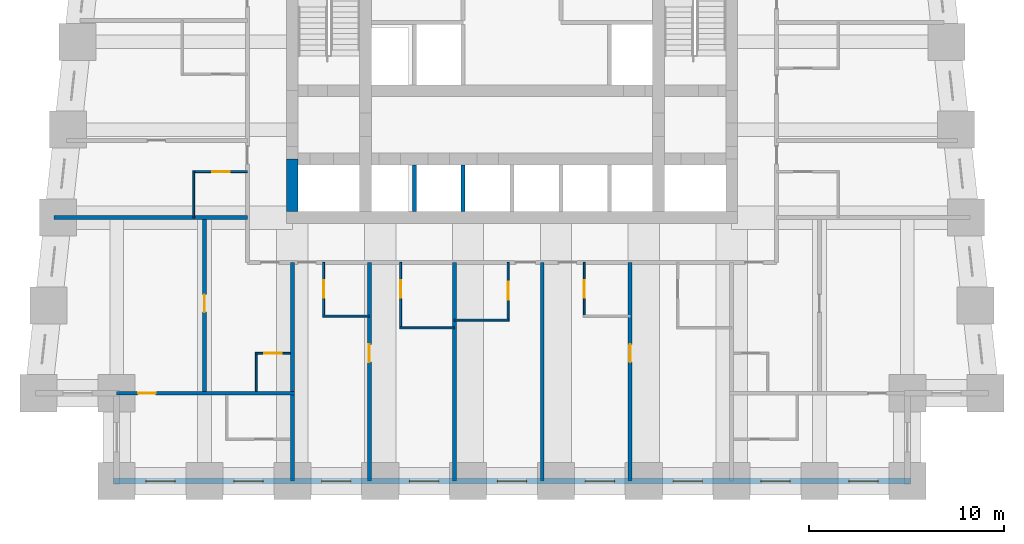
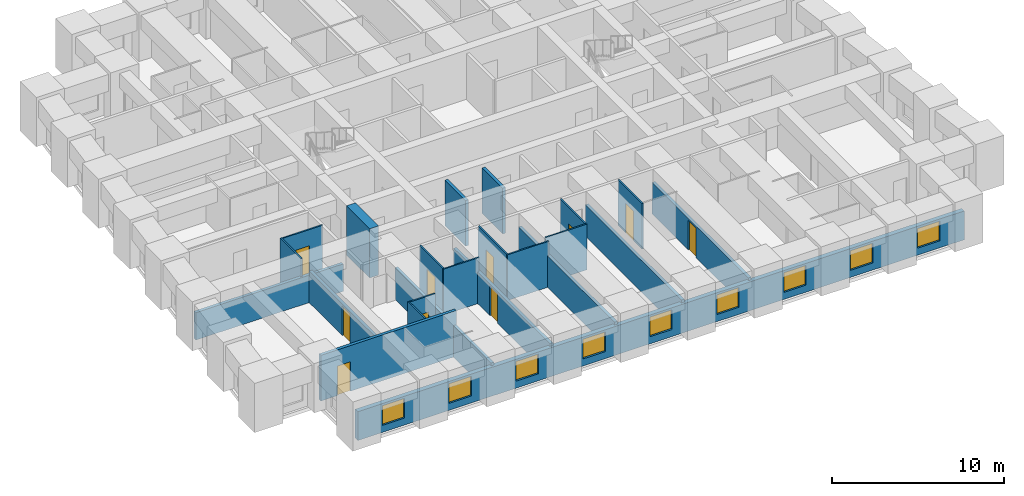
# One storey, part 2 of 8: 23 walls, 10 doors, 9 windows, 19 openings.
"""IFC4 building model written with IfcOpenShell, lengths in metres."""

from ifc_helpers import new_model, si_unit, direction, frame, frame_2d, origin, place, context, subcontext, project, spatial, rectangle, extrude, material, layer, layer_set, type_object, element, fill, save


model = new_model("IFC4")

# Units and contexts
model_context = context("Model", 3, precision=1e-05, world=origin(), true_north=direction((0.0, 1.0)))
body_context = subcontext(model_context, "Body", "Model", "MODEL_VIEW")
ifc_project = project(units=[si_unit("LENGTHUNIT", "METRE"), si_unit("AREAUNIT", "SQUARE_METRE"), si_unit("VOLUMEUNIT", "CUBIC_METRE"), si_unit("PLANEANGLEUNIT", "RADIAN"), si_unit("MASSUNIT", "GRAM", prefix="KILO")], contexts=[model_context])

# Site, building, storey
site_placement = place(None, origin())
site = spatial("IfcSite", under=ifc_project, at=site_placement, CompositionType="ELEMENT")
building_placement = place(site_placement, origin())
building = spatial("IfcBuilding", under=site, at=building_placement, Name="Kilele Tower Hotel", CompositionType="ELEMENT")
storey_placement = place(building_placement, frame((0.0, 0.0, 54.199951171875)))
storey = spatial("IfcBuildingStorey", under=building, at=storey_placement, Name="L12", CompositionType="ELEMENT", Elevation=54.199951171875)

# Wall
ifc_material_1 = material(Name="Moisture-resistant board")
ifc_layer_1 = layer(ifc_material_1, 0.10009765625)
ifc_layer_set_1 = layer_set([ifc_layer_1], Name="Moisture-resistant board")
wall_type_1 = type_object("IfcWallType", Name="Bathroom partition 100", PredefinedType="PLUMBINGWALL", material=ifc_layer_set_1)
wall_1_placement = place(storey_placement, frame((15.050048828125, 8.449951171875, 0.0), z_axis=(0.0, 0.0, 1.0), x_axis=(1.0, 0.0, 0.0)))
element("IfcWall", 1, at=wall_1_placement, inside=storey, type_object=wall_type_1, Name="Bathroom partition 100 L12", PredefinedType="PLUMBINGWALL", context=body_context, shape_type="SweptSolid", body=[
    extrude(rectangle(XDim=2.39990234375, YDim=0.10009765625, at=frame_2d((1.199951171875, 0.0))), origin(), (0.0, 0.0, 1.0), 3.25),
])

# Wall, opening, door
wall_2_placement = place(storey_placement, frame((15.10009765625, 11.199951171875, 0.0), z_axis=(0.0, 0.0, 1.0), x_axis=(0.0, -1.0, 0.0)))
wall_2 = element("IfcWall", 2, at=wall_2_placement, inside=storey, type_object=wall_type_1, Name="Bathroom partition 100 L12", PredefinedType="PLUMBINGWALL", context=body_context, shape_type="SweptSolid", body=[
    extrude(rectangle(XDim=2.800048828125, YDim=0.10009765625, at=frame_2d((1.39990234375, 0.0))), origin(), (0.0, 0.0, 1.0), 3.25),
])
opening_1_placement = place(wall_2_placement, frame((1.7998046875, 0.0, 0.0), z_axis=(0.0, 0.0, 1.0), x_axis=(-1.0, 0.0, 0.0)))
opening_1 = element("IfcOpeningElement", 3, at=opening_1_placement, cuts=wall_2, Name="Opening D2A", PredefinedType="OPENING", context=body_context, shape_type="SweptSolid", body=[
    extrude(rectangle(XDim=0.89990234375, YDim=2.10009765625, at=frame_2d((0.449951171875, 1.050048828125))), frame((0.0, 0.06005859375, 0.0), z_axis=(0.0, -1.0, 0.0), x_axis=(1.0, 0.0, 0.0)), (0.0, 0.0, 1.0), 0.1201171875),
])
ifc_material_2 = material(Name="Timber door leaf in hardwood frame", Category="wood")
door_type_1 = type_object("IfcDoorType", Name="Bathroom door 900", OperationType="SINGLE_SWING_LEFT", PredefinedType="DOOR", material=ifc_material_2)
door_1_placement = place(opening_1_placement, origin())
door_1 = element("IfcDoor", 4, at=door_1_placement, inside=storey, type_object=door_type_1, Name="Bathroom door 1201B", OperationType="SINGLE_SWING_RIGHT", OverallHeight=2.10009765625, OverallWidth=0.89990234375, PredefinedType="DOOR", context=body_context, shape_type="SweptSolid", body=[
    extrude(rectangle(XDim=0.89990234375, YDim=2.10009765625, at=frame_2d((0.449951171875, 1.050048828125))), frame((0.0, 0.02490234375, 0.0), z_axis=(0.0, -1.0, 0.0), x_axis=(1.0, 0.0, 0.0)), (0.0, 0.0, 1.0), 0.050048828125),
])
fill(opening_1, door_1)

# Wall
wall_3_placement = place(storey_placement, frame((19.0, 7.85009765625, 0.0), z_axis=(0.0, 0.0, 1.0), x_axis=(1.0, 0.0, 0.0)))
element("IfcWall", 5, at=wall_3_placement, inside=storey, type_object=wall_type_1, Name="Bathroom partition 100 L12", PredefinedType="PLUMBINGWALL", context=body_context, shape_type="SweptSolid", body=[
    extrude(rectangle(XDim=2.800048828125, YDim=0.10009765625, at=frame_2d((1.39990234375, 0.0))), origin(), (0.0, 0.0, 1.0), 3.25),
])

# Wall, opening, door
wall_4_placement = place(storey_placement, frame((19.050048828125, 11.199951171875, 0.0), z_axis=(0.0, 0.0, 1.0), x_axis=(0.0, -1.0, 0.0)))
wall_4 = element("IfcWall", 6, at=wall_4_placement, inside=storey, type_object=wall_type_1, Name="Bathroom partition 100 L12", PredefinedType="PLUMBINGWALL", context=body_context, shape_type="SweptSolid", body=[
    extrude(rectangle(XDim=3.39990234375, YDim=0.10009765625, at=frame_2d((1.699951171875, 0.0))), origin(), (0.0, 0.0, 1.0), 3.25),
])
opening_2_placement = place(wall_4_placement, frame((1.7998046875, 0.0, 0.0), z_axis=(0.0, 0.0, 1.0), x_axis=(-1.0, 0.0, 0.0)))
opening_2 = element("IfcOpeningElement", 7, at=opening_2_placement, cuts=wall_4, Name="Opening D2A", PredefinedType="OPENING", context=body_context, shape_type="SweptSolid", body=[
    extrude(rectangle(XDim=0.89990234375, YDim=2.10009765625, at=frame_2d((0.449951171875, 1.050048828125))), frame((0.0, 0.06005859375, 0.0), z_axis=(0.0, -1.0, 0.0), x_axis=(1.0, 0.0, 0.0)), (0.0, 0.0, 1.0), 0.1201171875),
])
door_2_placement = place(opening_2_placement, origin())
door_2 = element("IfcDoor", 8, at=door_2_placement, inside=storey, type_object=door_type_1, Name="Bathroom door 1202B", OperationType="SINGLE_SWING_RIGHT", OverallHeight=2.10009765625, OverallWidth=0.89990234375, PredefinedType="DOOR", context=body_context, shape_type="SweptSolid", body=[
    extrude(rectangle(XDim=0.89990234375, YDim=2.10009765625, at=frame_2d((0.449951171875, 1.050048828125))), frame((0.0, 0.02490234375, 0.0), z_axis=(0.0, -1.0, 0.0), x_axis=(1.0, 0.0, 0.0)), (0.0, 0.0, 1.0), 0.050048828125),
])
fill(opening_2, door_2)

# Wall
wall_5_placement = place(storey_placement, frame((21.800048828125, 8.25, 0.0), z_axis=(0.0, 0.0, 1.0), x_axis=(1.0, 0.0, 0.0)))
element("IfcWall", 9, at=wall_5_placement, inside=storey, type_object=wall_type_1, Name="Bathroom partition 100 L12", PredefinedType="PLUMBINGWALL", context=body_context, shape_type="SweptSolid", body=[
    extrude(rectangle(XDim=2.800048828125, YDim=0.10009765625, at=frame_2d((1.39990234375, 0.0))), origin(), (0.0, 0.0, 1.0), 3.25),
])

# Wall, opening, door
wall_6_placement = place(storey_placement, frame((24.550048828125, 11.199951171875, 0.0), z_axis=(0.0, 0.0, 1.0), x_axis=(0.0, -1.0, 0.0)))
wall_6 = element("IfcWall", 10, at=wall_6_placement, inside=storey, type_object=wall_type_1, Name="Bathroom partition 100 L12", PredefinedType="PLUMBINGWALL", context=body_context, shape_type="SweptSolid", body=[
    extrude(rectangle(XDim=3.0, YDim=0.10009765625, at=frame_2d((1.5, 0.0))), origin(), (0.0, 0.0, 1.0), 3.25),
])
opening_3_placement = place(wall_6_placement, frame((1.0, 0.0, 0.0)))
opening_3 = element("IfcOpeningElement", 11, at=opening_3_placement, cuts=wall_6, Name="Opening D2A", PredefinedType="OPENING", context=body_context, shape_type="SweptSolid", body=[
    extrude(rectangle(XDim=0.89990234375, YDim=2.10009765625, at=frame_2d((0.449951171875, 1.050048828125))), frame((0.0, 0.06005859375, 0.0), z_axis=(0.0, -1.0, 0.0), x_axis=(1.0, 0.0, 0.0)), (0.0, 0.0, 1.0), 0.1201171875),
])
door_3_placement = place(opening_3_placement, origin())
door_3 = element("IfcDoor", 12, at=door_3_placement, inside=storey, type_object=door_type_1, Name="Bathroom door 1203B", OperationType="SINGLE_SWING_LEFT", OverallHeight=2.10009765625, OverallWidth=0.89990234375, PredefinedType="DOOR", context=body_context, shape_type="SweptSolid", body=[
    extrude(rectangle(XDim=0.89990234375, YDim=2.10009765625, at=frame_2d((0.449951171875, 1.050048828125))), frame((0.0, 0.02490234375, 0.0), z_axis=(0.0, -1.0, 0.0), x_axis=(1.0, 0.0, 0.0)), (0.0, 0.0, 1.0), 0.050048828125),
])
fill(opening_3, door_3)

wall_7_placement = place(storey_placement, frame((28.449951171875, 11.199951171875, 0.0), z_axis=(0.0, 0.0, 1.0), x_axis=(0.0, -1.0, 0.0)))
wall_7 = element("IfcWall", 13, at=wall_7_placement, inside=storey, type_object=wall_type_1, Name="Bathroom partition 100 L12", PredefinedType="PLUMBINGWALL", context=body_context, shape_type="SweptSolid", body=[
    extrude(rectangle(XDim=2.800048828125, YDim=0.10009765625, at=frame_2d((1.39990234375, 0.0))), origin(), (0.0, 0.0, 1.0), 3.25),
])
opening_4_placement = place(wall_7_placement, frame((1.7998046875, 0.0, 0.0), z_axis=(0.0, 0.0, 1.0), x_axis=(-1.0, 0.0, 0.0)))
opening_4 = element("IfcOpeningElement", 14, at=opening_4_placement, cuts=wall_7, Name="Opening D2A", PredefinedType="OPENING", context=body_context, shape_type="SweptSolid", body=[
    extrude(rectangle(XDim=0.89990234375, YDim=2.10009765625, at=frame_2d((0.449951171875, 1.050048828125))), frame((0.0, 0.06005859375, 0.0), z_axis=(0.0, -1.0, 0.0), x_axis=(1.0, 0.0, 0.0)), (0.0, 0.0, 1.0), 0.1201171875),
])
door_4_placement = place(opening_4_placement, origin())
door_4 = element("IfcDoor", 15, at=door_4_placement, inside=storey, type_object=door_type_1, Name="Bathroom door 1204B", OperationType="SINGLE_SWING_RIGHT", OverallHeight=2.10009765625, OverallWidth=0.89990234375, PredefinedType="DOOR", context=body_context, shape_type="SweptSolid", body=[
    extrude(rectangle(XDim=0.89990234375, YDim=2.10009765625, at=frame_2d((0.449951171875, 1.050048828125))), frame((0.0, 0.02490234375, 0.0), z_axis=(0.0, -1.0, 0.0), x_axis=(1.0, 0.0, 0.0)), (0.0, 0.0, 1.0), 0.050048828125),
])
fill(opening_4, door_4)

# Wall
wall_8_placement = place(storey_placement, frame((8.449951171875, 13.5, 0.0), z_axis=(0.0, 0.0, 1.0), x_axis=(0.0, 1.0, 0.0)))
element("IfcWall", 16, at=wall_8_placement, inside=storey, type_object=wall_type_1, Name="Bathroom partition 100 L12", PredefinedType="PLUMBINGWALL", context=body_context, shape_type="SweptSolid", body=[
    extrude(rectangle(XDim=2.39990234375, YDim=0.10009765625, at=frame_2d((1.199951171875, 0.0))), origin(), (0.0, 0.0, 1.0), 3.25),
])

# Wall, opening, door
wall_9_placement = place(storey_placement, frame((11.199951171875, 15.85009765625, 0.0), z_axis=(0.0, 0.0, 1.0), x_axis=(-1.0, 0.0, 0.0)))
wall_9 = element("IfcWall", 17, at=wall_9_placement, inside=storey, type_object=wall_type_1, Name="Bathroom partition 100 L12", PredefinedType="PLUMBINGWALL", context=body_context, shape_type="SweptSolid", body=[
    extrude(rectangle(XDim=2.800048828125, YDim=0.10009765625, at=frame_2d((1.39990234375, 0.0))), origin(), (0.0, 0.0, 1.0), 3.25),
])
opening_5_placement = place(wall_9_placement, frame((1.7998046875, 0.0, 0.0), z_axis=(0.0, 0.0, 1.0), x_axis=(-1.0, 0.0, 0.0)))
opening_5 = element("IfcOpeningElement", 18, at=opening_5_placement, cuts=wall_9, Name="Opening D2A", PredefinedType="OPENING", context=body_context, shape_type="SweptSolid", body=[
    extrude(rectangle(XDim=0.89990234375, YDim=2.10009765625, at=frame_2d((0.449951171875, 1.050048828125))), frame((0.0, 0.06005859375, 0.0), z_axis=(0.0, -1.0, 0.0), x_axis=(1.0, 0.0, 0.0)), (0.0, 0.0, 1.0), 0.1201171875),
])
door_5_placement = place(opening_5_placement, origin())
door_5 = element("IfcDoor", 19, at=door_5_placement, inside=storey, type_object=door_type_1, Name="Bathroom door 1214B", OperationType="SINGLE_SWING_RIGHT", OverallHeight=2.10009765625, OverallWidth=0.89990234375, PredefinedType="DOOR", context=body_context, shape_type="SweptSolid", body=[
    extrude(rectangle(XDim=0.89990234375, YDim=2.10009765625, at=frame_2d((0.449951171875, 1.050048828125))), frame((0.0, 0.02490234375, 0.0), z_axis=(0.0, -1.0, 0.0), x_axis=(1.0, 0.0, 0.0)), (0.0, 0.0, 1.0), 0.050048828125),
])
fill(opening_5, door_5)

# Wall
wall_10_placement = place(storey_placement, frame((11.64990234375, 4.60009765625, 0.0), z_axis=(0.0, 0.0, 1.0), x_axis=(0.0, 1.0, 0.0)))
element("IfcWall", 20, at=wall_10_placement, inside=storey, type_object=wall_type_1, Name="Bathroom partition 100 L12", PredefinedType="PLUMBINGWALL", context=body_context, shape_type="SweptSolid", body=[
    extrude(rectangle(XDim=2.0, YDim=0.10009765625, at=frame_2d((1.0, 0.0))), origin(), (0.0, 0.0, 1.0), 3.25),
])

# Wall, opening, door
wall_11_placement = place(storey_placement, frame((13.39990234375, 6.550048828125, 0.0), z_axis=(0.0, 0.0, 1.0), x_axis=(-1.0, 0.0, 0.0)))
wall_11 = element("IfcWall", 21, at=wall_11_placement, inside=storey, type_object=wall_type_1, Name="Bathroom partition 100 L12", PredefinedType="PLUMBINGWALL", context=body_context, shape_type="SweptSolid", body=[
    extrude(rectangle(XDim=1.7998046875, YDim=0.10009765625, at=frame_2d((0.89990234375, 0.0))), origin(), (0.0, 0.0, 1.0), 3.25),
])
opening_6_placement = place(wall_11_placement, frame((1.349853515625, 0.0, 0.0), z_axis=(0.0, 0.0, 1.0), x_axis=(-1.0, 0.0, 0.0)))
opening_6 = element("IfcOpeningElement", 22, at=opening_6_placement, cuts=wall_11, Name="Opening D2A", PredefinedType="OPENING", context=body_context, shape_type="SweptSolid", body=[
    extrude(rectangle(XDim=0.89990234375, YDim=2.10009765625, at=frame_2d((0.449951171875, 1.050048828125))), frame((0.0, 0.06005859375, 0.0), z_axis=(0.0, -1.0, 0.0), x_axis=(1.0, 0.0, 0.0)), (0.0, 0.0, 1.0), 0.1201171875),
])
door_6_placement = place(opening_6_placement, origin())
door_6 = element("IfcDoor", 23, at=door_6_placement, inside=storey, type_object=door_type_1, Name="Bathroom door 1217P", OperationType="SINGLE_SWING_RIGHT", OverallHeight=2.10009765625, OverallWidth=0.89990234375, PredefinedType="DOOR", context=body_context, shape_type="SweptSolid", body=[
    extrude(rectangle(XDim=0.89990234375, YDim=2.10009765625, at=frame_2d((0.449951171875, 1.050048828125))), frame((0.0, 0.02490234375, 0.0), z_axis=(0.0, -1.0, 0.0), x_axis=(1.0, 0.0, 0.0)), (0.0, 0.0, 1.0), 0.050048828125),
])
fill(opening_6, door_6)

# Wall
ifc_material_3 = material(Name="Concrete C60/75", Category="concrete")
ifc_layer_2 = layer(ifc_material_3, 0.60009765625)
ifc_layer_set_2 = layer_set([ifc_layer_2], Name="Concrete C60/75")
wall_type_2 = type_object("IfcWallType", Name="Core wall 600 C60/75", PredefinedType="SHEAR", material=ifc_layer_set_2)
wall_12_placement = place(storey_placement, frame((13.5, 16.5, 0.0), z_axis=(0.0, 0.0, 1.0), x_axis=(0.0, -1.0, 0.0)))
element("IfcWall", 24, at=wall_12_placement, inside=storey, type_object=wall_type_2, Name="Core wall W3 L12", PredefinedType="SHEAR", context=body_context, shape_type="SweptSolid", body=[
    extrude(rectangle(XDim=2.699951171875, YDim=0.60009765625, at=frame_2d((1.35009765625, 0.0))), origin(), (0.0, 0.0, 1.0), 3.5),
])

# Wall, opening, door
ifc_material_4 = material(Name="Blockwork, plastered both sides", Category="masonry")
ifc_layer_3 = layer(ifc_material_4, 0.199951171875)
ifc_layer_set_3 = layer_set([ifc_layer_3], Name="Blockwork, plastered both sides")
wall_type_3 = type_object("IfcWallType", Name="Partition wall 200", PredefinedType="PARTITIONING", material=ifc_layer_set_3)
wall_13_placement = place(storey_placement, frame((9.0, 4.60009765625, 0.0), z_axis=(0.0, 0.0, 1.0), x_axis=(0.0, 1.0, 0.0)))
wall_13 = element("IfcWall", 25, at=wall_13_placement, inside=storey, type_object=wall_type_3, Name="Partition wall 200 L12", PredefinedType="PARTITIONING", context=body_context, shape_type="SweptSolid", body=[
    extrude(rectangle(XDim=8.7998046875, YDim=0.199951171875, at=frame_2d((4.39990234375, 0.0))), origin(), (0.0, 0.0, 1.0), 2.25),
])
opening_7_placement = place(wall_13_placement, frame((4.050048828125, 0.0, 0.0)))
opening_7 = element("IfcOpeningElement", 26, at=opening_7_placement, cuts=wall_13, Name="Opening D3", PredefinedType="OPENING", context=body_context, shape_type="SweptSolid", body=[
    extrude(rectangle(XDim=0.89990234375, YDim=2.10009765625, at=frame_2d((0.449951171875, 1.050048828125))), frame((0.0, 0.10986328125, 0.0), z_axis=(0.0, -1.0, 0.0), x_axis=(1.0, 0.0, 0.0)), (0.0, 0.0, 1.0), 0.219970703125),
])
ifc_material_5 = material(Name="Timber door leaf in hardwood frame", Category="wood")
door_type_2 = type_object("IfcDoorType", Name="Suite internal door 900", OperationType="SINGLE_SWING_LEFT", PredefinedType="DOOR", material=ifc_material_5)
door_7_placement = place(opening_7_placement, origin())
door_7 = element("IfcDoor", 27, at=door_7_placement, inside=storey, type_object=door_type_2, Name="Suite door 1218", OperationType="SINGLE_SWING_RIGHT", OverallHeight=2.10009765625, OverallWidth=0.89990234375, PredefinedType="DOOR", context=body_context, shape_type="SweptSolid", body=[
    extrude(rectangle(XDim=0.89990234375, YDim=2.10009765625, at=frame_2d((0.449951171875, 1.050048828125))), frame((0.0, 0.02490234375, 0.0), z_axis=(0.0, -1.0, 0.0), x_axis=(1.0, 0.0, 0.0)), (0.0, 0.0, 1.0), 0.050048828125),
])
fill(opening_7, door_7)

ifc_material_6 = material(Name="Blockwork, plastered both sides", Category="masonry")
ifc_layer_4 = layer(ifc_material_6, 0.199951171875)
ifc_layer_set_4 = layer_set([ifc_layer_4], Name="Blockwork, plastered both sides")
wall_type_4 = type_object("IfcWallType", Name="Party wall 200", PredefinedType="PARTITIONING", material=ifc_layer_set_4)
wall_14_placement = place(storey_placement, frame((17.449951171875, 11.199951171875, 0.0), z_axis=(0.0, 0.0, 1.0), x_axis=(0.0, -1.0, 0.0)))
wall_14 = element("IfcWall", 28, at=wall_14_placement, inside=storey, type_object=wall_type_4, Name="Party wall 200 L12", PredefinedType="PARTITIONING", context=body_context, shape_type="SweptSolid", body=[
    extrude(rectangle(XDim=11.199951171875, YDim=0.199951171875, at=frame_2d((5.60009765625, 0.0))), origin(), (0.0, 0.0, 1.0), 2.25),
])
opening_8_placement = place(wall_14_placement, frame((5.099853515625, 0.0, 0.0), z_axis=(0.0, 0.0, 1.0), x_axis=(-1.0, 0.0, 0.0)))
opening_8 = element("IfcOpeningElement", 29, at=opening_8_placement, cuts=wall_14, Name="Opening D3", PredefinedType="OPENING", context=body_context, shape_type="SweptSolid", body=[
    extrude(rectangle(XDim=0.89990234375, YDim=2.10009765625, at=frame_2d((0.449951171875, 1.050048828125))), frame((0.0, 0.10986328125, 0.0), z_axis=(0.0, -1.0, 0.0), x_axis=(1.0, 0.0, 0.0)), (0.0, 0.0, 1.0), 0.219970703125),
])
door_8_placement = place(opening_8_placement, origin())
door_8 = element("IfcDoor", 30, at=door_8_placement, inside=storey, type_object=door_type_2, Name="Suite door 1202", OperationType="SINGLE_SWING_RIGHT", OverallHeight=2.10009765625, OverallWidth=0.89990234375, PredefinedType="DOOR", context=body_context, shape_type="SweptSolid", body=[
    extrude(rectangle(XDim=0.89990234375, YDim=2.10009765625, at=frame_2d((0.449951171875, 1.050048828125))), frame((0.0, 0.02490234375, 0.0), z_axis=(0.0, -1.0, 0.0), x_axis=(1.0, 0.0, 0.0)), (0.0, 0.0, 1.0), 0.050048828125),
])
fill(opening_8, door_8)

# Walls
for number, where, z_axis, x_axis, name in (
    (31, (21.800048828125, 11.199951171875, 0.0), (0.0, 0.0, 1.0), (0.0, -1.0, 0.0), "Party wall 200 L12"),
    (32, (26.300048828125, 11.199951171875, 0.0), (0.0, 0.0, 1.0), (0.0, -1.0, 0.0), "Party wall 200 L12"),
):
    element("IfcWall", number, at=place(storey_placement, frame(where, z_axis=z_axis, x_axis=x_axis)), inside=storey, type_object=wall_type_4, Name=name, PredefinedType="PARTITIONING", context=body_context, shape_type="SweptSolid", body=[
        extrude(rectangle(XDim=11.199951171875, YDim=0.199951171875, at=frame_2d((5.60009765625, 0.0))), origin(), (0.0, 0.0, 1.0), 2.25),
    ])

# Wall, opening, door
wall_15_placement = place(storey_placement, frame((30.800048828125, 11.199951171875, 0.0), z_axis=(0.0, 0.0, 1.0), x_axis=(0.0, -1.0, 0.0)))
wall_15 = element("IfcWall", 33, at=wall_15_placement, inside=storey, type_object=wall_type_4, Name="Party wall 200 L12", PredefinedType="PARTITIONING", context=body_context, shape_type="SweptSolid", body=[
    extrude(rectangle(XDim=11.199951171875, YDim=0.199951171875, at=frame_2d((5.60009765625, 0.0))), origin(), (0.0, 0.0, 1.0), 2.25),
])
opening_9_placement = place(wall_15_placement, frame((5.099853515625, 0.0, 0.0), z_axis=(0.0, 0.0, 1.0), x_axis=(-1.0, 0.0, 0.0)))
opening_9 = element("IfcOpeningElement", 34, at=opening_9_placement, cuts=wall_15, Name="Opening D3", PredefinedType="OPENING", context=body_context, shape_type="SweptSolid", body=[
    extrude(rectangle(XDim=0.89990234375, YDim=2.10009765625, at=frame_2d((0.449951171875, 1.050048828125))), frame((0.0, 0.10986328125, 0.0), z_axis=(0.0, -1.0, 0.0), x_axis=(1.0, 0.0, 0.0)), (0.0, 0.0, 1.0), 0.219970703125),
])
door_9_placement = place(opening_9_placement, origin())
door_9 = element("IfcDoor", 35, at=door_9_placement, inside=storey, type_object=door_type_2, Name="Suite door 1205", OperationType="SINGLE_SWING_RIGHT", OverallHeight=2.10009765625, OverallWidth=0.89990234375, PredefinedType="DOOR", context=body_context, shape_type="SweptSolid", body=[
    extrude(rectangle(XDim=0.89990234375, YDim=2.10009765625, at=frame_2d((0.449951171875, 1.050048828125))), frame((0.0, 0.02490234375, 0.0), z_axis=(0.0, -1.0, 0.0), x_axis=(1.0, 0.0, 0.0)), (0.0, 0.0, 1.0), 0.050048828125),
])
fill(opening_9, door_9)

# Walls
wall_16_placement = place(storey_placement, frame((11.199951171875, 13.5, 0.0), z_axis=(0.0, 0.0, 1.0), x_axis=(-1.0, 0.0, 0.0)))
element("IfcWall", 36, at=wall_16_placement, inside=storey, type_object=wall_type_4, Name="Party wall 200 L12", PredefinedType="PARTITIONING", context=body_context, shape_type="SweptSolid", body=[
    extrude(rectangle(XDim=9.921142578125, YDim=0.199951171875, at=frame_2d((4.96044921875, 0.0))), origin(), (0.0, 0.0, 1.0), 1.949951171875),
])
wall_17_placement = place(storey_placement, frame((13.5, 11.199951171875, 0.0), z_axis=(0.0, 0.0, 1.0), x_axis=(0.0, -1.0, 0.0)))
element("IfcWall", 37, at=wall_17_placement, inside=storey, type_object=wall_type_4, Name="Party wall 200 L12", PredefinedType="PARTITIONING", context=body_context, shape_type="SweptSolid", body=[
    extrude(rectangle(XDim=11.199951171875, YDim=0.199951171875, at=frame_2d((5.60009765625, 0.0))), origin(), (0.0, 0.0, 1.0), 2.25),
])

# Wall, opening, door
wall_18_placement = place(storey_placement, frame((13.60009765625, 4.5, 0.0), z_axis=(0.0, 0.0, 1.0), x_axis=(-1.0, 0.0, 0.0)))
wall_18 = element("IfcWall", 38, at=wall_18_placement, inside=storey, type_object=wall_type_4, Name="Party wall 200 L12", PredefinedType="PARTITIONING", context=body_context, shape_type="SweptSolid", body=[
    extrude(rectangle(XDim=9.10009765625, YDim=0.199951171875, at=frame_2d((4.550048828125, 0.0))), origin(), (0.0, 0.0, 1.0), 3.25),
])
opening_10_placement = place(wall_18_placement, frame((7.10009765625, 0.0, 0.0)))
opening_10 = element("IfcOpeningElement", 39, at=opening_10_placement, cuts=wall_18, Name="Opening D3", PredefinedType="OPENING", context=body_context, shape_type="SweptSolid", body=[
    extrude(rectangle(XDim=0.89990234375, YDim=2.10009765625, at=frame_2d((0.449951171875, 1.050048828125))), frame((0.0, 0.10986328125, 0.0), z_axis=(0.0, -1.0, 0.0), x_axis=(1.0, 0.0, 0.0)), (0.0, 0.0, 1.0), 0.219970703125),
])
door_10_placement = place(opening_10_placement, origin())
door_10 = element("IfcDoor", 40, at=door_10_placement, inside=storey, type_object=door_type_2, Name="Suite door 1219", OperationType="SINGLE_SWING_RIGHT", OverallHeight=2.10009765625, OverallWidth=0.89990234375, PredefinedType="DOOR", context=body_context, shape_type="SweptSolid", body=[
    extrude(rectangle(XDim=0.89990234375, YDim=2.10009765625, at=frame_2d((0.449951171875, 1.050048828125))), frame((0.0, 0.02490234375, 0.0), z_axis=(0.0, -1.0, 0.0), x_axis=(1.0, 0.0, 0.0)), (0.0, 0.0, 1.0), 0.050048828125),
])
fill(opening_10, door_10)

# Wall, openings, windows
ifc_material_7 = material(Name="Concrete C40/50 precast", Category="concrete")
ifc_layer_5 = layer(ifc_material_7, 0.260009765625, Name="Precast backing", Category="LoadBearing")
ifc_material_8 = material(Name="Reconstituted stone finish", Category="masonry")
ifc_layer_6 = layer(ifc_material_8, 0.0400390625, Name="Face mix", Category="Finish")
ifc_layer_set_5 = layer_set([ifc_layer_5, ifc_layer_6], Name="Precast concrete C40/50, reconstituted stone finish")
wall_type_5 = type_object("IfcWallType", Name="Precast stone facade wall 300", PredefinedType="STANDARD", material=ifc_layer_set_5)
wall_19_placement = place(storey_placement, frame((4.35009765625, 0.0, 0.0), z_axis=(0.0, 0.0, 1.0), x_axis=(1.0, 0.0, 0.0)))
wall_19 = element("IfcWall", 41, at=wall_19_placement, inside=storey, type_object=wall_type_5, Name="Facade wall L12 edge 3", PredefinedType="STANDARD", context=body_context, shape_type="SweptSolid", body=[
    extrude(rectangle(XDim=40.7998046875, YDim=0.300048828125, at=frame_2d((20.39990234375, 0.0))), origin(), (0.0, 0.0, 1.0), 2.050048828125),
])
opening_11_placement = place(wall_19_placement, frame((1.64990234375, 0.0, 0.5)))
opening_11 = element("IfcOpeningElement", 42, at=opening_11_placement, cuts=wall_19, Name="Opening W1", PredefinedType="OPENING", context=body_context, shape_type="SweptSolid", body=[
    extrude(rectangle(XDim=1.5, YDim=1.39990234375, at=frame_2d((0.75, 0.699951171875))), frame((0.0, 0.159912109375, 0.0), z_axis=(0.0, -1.0, 0.0), x_axis=(1.0, 0.0, 0.0)), (0.0, 0.0, 1.0), 0.320068359375),
])
opening_12_placement = place(wall_19_placement, frame((6.14990234375, 0.0, 0.5)))
opening_12 = element("IfcOpeningElement", 43, at=opening_12_placement, cuts=wall_19, Name="Opening W1", PredefinedType="OPENING", context=body_context, shape_type="SweptSolid", body=[
    extrude(rectangle(XDim=1.5, YDim=1.39990234375, at=frame_2d((0.75, 0.699951171875))), frame((0.0, 0.159912109375, 0.0), z_axis=(0.0, -1.0, 0.0), x_axis=(1.0, 0.0, 0.0)), (0.0, 0.0, 1.0), 0.320068359375),
])
opening_13_placement = place(wall_19_placement, frame((10.64990234375, 0.0, 0.5)))
opening_13 = element("IfcOpeningElement", 44, at=opening_13_placement, cuts=wall_19, Name="Opening W1", PredefinedType="OPENING", context=body_context, shape_type="SweptSolid", body=[
    extrude(rectangle(XDim=1.5, YDim=1.39990234375, at=frame_2d((0.75, 0.699951171875))), frame((0.0, 0.159912109375, 0.0), z_axis=(0.0, -1.0, 0.0), x_axis=(1.0, 0.0, 0.0)), (0.0, 0.0, 1.0), 0.320068359375),
])
opening_14_placement = place(wall_19_placement, frame((15.14990234375, 0.0, 0.5)))
opening_14 = element("IfcOpeningElement", 45, at=opening_14_placement, cuts=wall_19, Name="Opening W1", PredefinedType="OPENING", context=body_context, shape_type="SweptSolid", body=[
    extrude(rectangle(XDim=1.5, YDim=1.39990234375, at=frame_2d((0.75, 0.699951171875))), frame((0.0, 0.159912109375, 0.0), z_axis=(0.0, -1.0, 0.0), x_axis=(1.0, 0.0, 0.0)), (0.0, 0.0, 1.0), 0.320068359375),
])
opening_15_placement = place(wall_19_placement, frame((19.64990234375, 0.0, 0.5)))
opening_15 = element("IfcOpeningElement", 46, at=opening_15_placement, cuts=wall_19, Name="Opening W1", PredefinedType="OPENING", context=body_context, shape_type="SweptSolid", body=[
    extrude(rectangle(XDim=1.5, YDim=1.39990234375, at=frame_2d((0.75, 0.699951171875))), frame((0.0, 0.159912109375, 0.0), z_axis=(0.0, -1.0, 0.0), x_axis=(1.0, 0.0, 0.0)), (0.0, 0.0, 1.0), 0.320068359375),
])
opening_16_placement = place(wall_19_placement, frame((24.14990234375, 0.0, 0.5)))
opening_16 = element("IfcOpeningElement", 47, at=opening_16_placement, cuts=wall_19, Name="Opening W1", PredefinedType="OPENING", context=body_context, shape_type="SweptSolid", body=[
    extrude(rectangle(XDim=1.5, YDim=1.39990234375, at=frame_2d((0.75, 0.699951171875))), frame((0.0, 0.159912109375, 0.0), z_axis=(0.0, -1.0, 0.0), x_axis=(1.0, 0.0, 0.0)), (0.0, 0.0, 1.0), 0.320068359375),
])
opening_17_placement = place(wall_19_placement, frame((28.64990234375, 0.0, 0.5)))
opening_17 = element("IfcOpeningElement", 48, at=opening_17_placement, cuts=wall_19, Name="Opening W1", PredefinedType="OPENING", context=body_context, shape_type="SweptSolid", body=[
    extrude(rectangle(XDim=1.5, YDim=1.39990234375, at=frame_2d((0.75, 0.699951171875))), frame((0.0, 0.159912109375, 0.0), z_axis=(0.0, -1.0, 0.0), x_axis=(1.0, 0.0, 0.0)), (0.0, 0.0, 1.0), 0.320068359375),
])
opening_18_placement = place(wall_19_placement, frame((33.14990234375, 0.0, 0.5)))
opening_18 = element("IfcOpeningElement", 49, at=opening_18_placement, cuts=wall_19, Name="Opening W1", PredefinedType="OPENING", context=body_context, shape_type="SweptSolid", body=[
    extrude(rectangle(XDim=1.5, YDim=1.39990234375, at=frame_2d((0.75, 0.699951171875))), frame((0.0, 0.159912109375, 0.0), z_axis=(0.0, -1.0, 0.0), x_axis=(1.0, 0.0, 0.0)), (0.0, 0.0, 1.0), 0.320068359375),
])
opening_19_placement = place(wall_19_placement, frame((37.64990234375, 0.0, 0.5)))
opening_19 = element("IfcOpeningElement", 50, at=opening_19_placement, cuts=wall_19, Name="Opening W1", PredefinedType="OPENING", context=body_context, shape_type="SweptSolid", body=[
    extrude(rectangle(XDim=1.5, YDim=1.39990234375, at=frame_2d((0.75, 0.699951171875))), frame((0.0, 0.159912109375, 0.0), z_axis=(0.0, -1.0, 0.0), x_axis=(1.0, 0.0, 0.0)), (0.0, 0.0, 1.0), 0.320068359375),
])
ifc_material_9 = material(Name="Aluminium frame, clear double glazing", Category="aluminium")
window_type = type_object("IfcWindowType", Name="Window W1 1500 x 1400", PartitioningType="SINGLE_PANEL", PredefinedType="WINDOW", material=ifc_material_9)
window_1_placement = place(opening_11_placement, origin())
window_1 = element("IfcWindow", 51, at=window_1_placement, inside=storey, type_object=window_type, Name="Window L12", OverallHeight=1.39990234375, OverallWidth=1.5, PartitioningType="SINGLE_PANEL", PredefinedType="WINDOW", context=body_context, shape_type="SweptSolid", body=[
    extrude(rectangle(XDim=1.5, YDim=1.39990234375, at=frame_2d((0.75, 0.699951171875))), frame((0.0, 0.030029296875, 0.0), z_axis=(0.0, -1.0, 0.0), x_axis=(1.0, 0.0, 0.0)), (0.0, 0.0, 1.0), 0.06005859375),
])
fill(opening_11, window_1)
window_2_placement = place(opening_12_placement, origin())
window_2 = element("IfcWindow", 52, at=window_2_placement, inside=storey, type_object=window_type, Name="Window L12", OverallHeight=1.39990234375, OverallWidth=1.5, PartitioningType="SINGLE_PANEL", PredefinedType="WINDOW", context=body_context, shape_type="SweptSolid", body=[
    extrude(rectangle(XDim=1.5, YDim=1.39990234375, at=frame_2d((0.75, 0.699951171875))), frame((0.0, 0.030029296875, 0.0), z_axis=(0.0, -1.0, 0.0), x_axis=(1.0, 0.0, 0.0)), (0.0, 0.0, 1.0), 0.06005859375),
])
fill(opening_12, window_2)
window_3_placement = place(opening_13_placement, origin())
window_3 = element("IfcWindow", 53, at=window_3_placement, inside=storey, type_object=window_type, Name="Window L12", OverallHeight=1.39990234375, OverallWidth=1.5, PartitioningType="SINGLE_PANEL", PredefinedType="WINDOW", context=body_context, shape_type="SweptSolid", body=[
    extrude(rectangle(XDim=1.5, YDim=1.39990234375, at=frame_2d((0.75, 0.699951171875))), frame((0.0, 0.030029296875, 0.0), z_axis=(0.0, -1.0, 0.0), x_axis=(1.0, 0.0, 0.0)), (0.0, 0.0, 1.0), 0.06005859375),
])
fill(opening_13, window_3)
window_4_placement = place(opening_14_placement, origin())
window_4 = element("IfcWindow", 54, at=window_4_placement, inside=storey, type_object=window_type, Name="Window L12", OverallHeight=1.39990234375, OverallWidth=1.5, PartitioningType="SINGLE_PANEL", PredefinedType="WINDOW", context=body_context, shape_type="SweptSolid", body=[
    extrude(rectangle(XDim=1.5, YDim=1.39990234375, at=frame_2d((0.75, 0.699951171875))), frame((0.0, 0.030029296875, 0.0), z_axis=(0.0, -1.0, 0.0), x_axis=(1.0, 0.0, 0.0)), (0.0, 0.0, 1.0), 0.06005859375),
])
fill(opening_14, window_4)
window_5_placement = place(opening_15_placement, origin())
window_5 = element("IfcWindow", 55, at=window_5_placement, inside=storey, type_object=window_type, Name="Window L12", OverallHeight=1.39990234375, OverallWidth=1.5, PartitioningType="SINGLE_PANEL", PredefinedType="WINDOW", context=body_context, shape_type="SweptSolid", body=[
    extrude(rectangle(XDim=1.5, YDim=1.39990234375, at=frame_2d((0.75, 0.699951171875))), frame((0.0, 0.030029296875, 0.0), z_axis=(0.0, -1.0, 0.0), x_axis=(1.0, 0.0, 0.0)), (0.0, 0.0, 1.0), 0.06005859375),
])
fill(opening_15, window_5)
window_6_placement = place(opening_16_placement, origin())
window_6 = element("IfcWindow", 56, at=window_6_placement, inside=storey, type_object=window_type, Name="Window L12", OverallHeight=1.39990234375, OverallWidth=1.5, PartitioningType="SINGLE_PANEL", PredefinedType="WINDOW", context=body_context, shape_type="SweptSolid", body=[
    extrude(rectangle(XDim=1.5, YDim=1.39990234375, at=frame_2d((0.75, 0.699951171875))), frame((0.0, 0.030029296875, 0.0), z_axis=(0.0, -1.0, 0.0), x_axis=(1.0, 0.0, 0.0)), (0.0, 0.0, 1.0), 0.06005859375),
])
fill(opening_16, window_6)
window_7_placement = place(opening_17_placement, origin())
window_7 = element("IfcWindow", 57, at=window_7_placement, inside=storey, type_object=window_type, Name="Window L12", OverallHeight=1.39990234375, OverallWidth=1.5, PartitioningType="SINGLE_PANEL", PredefinedType="WINDOW", context=body_context, shape_type="SweptSolid", body=[
    extrude(rectangle(XDim=1.5, YDim=1.39990234375, at=frame_2d((0.75, 0.699951171875))), frame((0.0, 0.030029296875, 0.0), z_axis=(0.0, -1.0, 0.0), x_axis=(1.0, 0.0, 0.0)), (0.0, 0.0, 1.0), 0.06005859375),
])
fill(opening_17, window_7)
window_8_placement = place(opening_18_placement, origin())
window_8 = element("IfcWindow", 58, at=window_8_placement, inside=storey, type_object=window_type, Name="Window L12", OverallHeight=1.39990234375, OverallWidth=1.5, PartitioningType="SINGLE_PANEL", PredefinedType="WINDOW", context=body_context, shape_type="SweptSolid", body=[
    extrude(rectangle(XDim=1.5, YDim=1.39990234375, at=frame_2d((0.75, 0.699951171875))), frame((0.0, 0.030029296875, 0.0), z_axis=(0.0, -1.0, 0.0), x_axis=(1.0, 0.0, 0.0)), (0.0, 0.0, 1.0), 0.06005859375),
])
fill(opening_18, window_8)
window_9_placement = place(opening_19_placement, origin())
window_9 = element("IfcWindow", 59, at=window_9_placement, inside=storey, type_object=window_type, Name="Window L12", OverallHeight=1.39990234375, OverallWidth=1.5, PartitioningType="SINGLE_PANEL", PredefinedType="WINDOW", context=body_context, shape_type="SweptSolid", body=[
    extrude(rectangle(XDim=1.5, YDim=1.39990234375, at=frame_2d((0.75, 0.699951171875))), frame((0.0, 0.030029296875, 0.0), z_axis=(0.0, -1.0, 0.0), x_axis=(1.0, 0.0, 0.0)), (0.0, 0.0, 1.0), 0.06005859375),
])
fill(opening_19, window_9)

# Walls
ifc_material_10 = material(Name="Blockwork, fire-rated", Category="masonry")
ifc_layer_7 = layer(ifc_material_10, 0.199951171875)
ifc_layer_set_6 = layer_set([ifc_layer_7], Name="Blockwork, fire-rated")
wall_type_6 = type_object("IfcWallType", Name="Shaft wall 200", PredefinedType="PARTITIONING", material=ifc_layer_set_6)
for number, where, z_axis, x_axis, name in (
    (60, (19.75, 13.800048828125, 0.0), (0.0, 0.0, 1.0), (0.0, 1.0, 0.0), "Shaft wall 200 L12"),
    (61, (22.25, 13.800048828125, 0.0), (0.0, 0.0, 1.0), (0.0, 1.0, 0.0), "Shaft wall 200 L12"),
):
    element("IfcWall", number, at=place(storey_placement, frame(where, z_axis=z_axis, x_axis=x_axis)), inside=storey, type_object=wall_type_6, Name=name, PredefinedType="PARTITIONING", context=body_context, shape_type="SweptSolid", body=[
        extrude(rectangle(XDim=2.39990234375, YDim=0.199951171875, at=frame_2d((1.199951171875, 0.0))), origin(), (0.0, 0.0, 1.0), 3.25),
    ])

save(model, "model.ifc")
